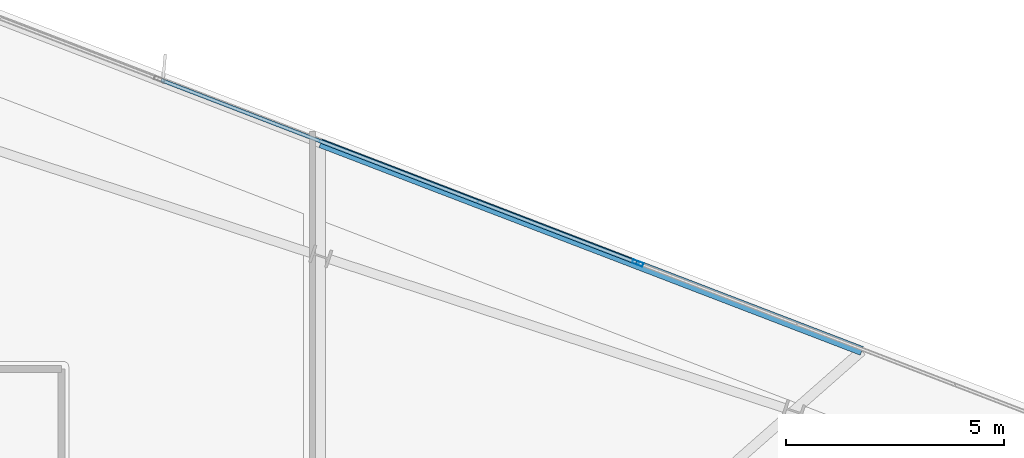
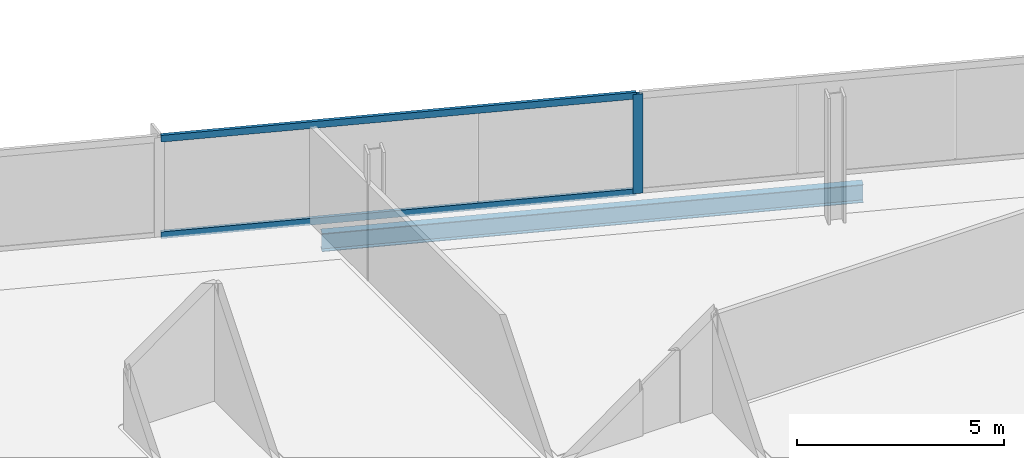
# One storey, part 17 of 27: 3 members, 1 beam, 1 element without a shape of its own.
"""IFC4 building model written with IfcOpenShell, lengths in metres."""

from ifc_helpers import new_model, si_unit, direction, frame, origin, origin_2d, place, context, subcontext, project, spatial, hollow_rectangle, i_section, extrude, material, material_profile, profile_set, type_object, element, aggregate, save


model = new_model("IFC4")

# Units and contexts
model_context = context("Model", 3, precision=1e-05, world=origin(), true_north=direction((0.0, 1.0)))
body_context = subcontext(model_context, "Body", "Model", "MODEL_VIEW")
ifc_project = project(units=[si_unit("LENGTHUNIT", "METRE"), si_unit("AREAUNIT", "SQUARE_METRE"), si_unit("VOLUMEUNIT", "CUBIC_METRE"), si_unit("PLANEANGLEUNIT", "RADIAN"), si_unit("MASSUNIT", "GRAM", prefix="KILO")], contexts=[model_context])

# Site, building, storey
site_placement = place(None, origin())
site = spatial("IfcSite", under=ifc_project, at=site_placement, CompositionType="ELEMENT")
building_placement = place(site_placement, origin())
building = spatial("IfcBuilding", under=site, at=building_placement, Name="Haldenkirk Collegiate Tower", CompositionType="ELEMENT")
storey_placement = place(building_placement, frame((0.0, 0.0, 259.949951171875)))
storey = spatial("IfcBuildingStorey", under=building, at=storey_placement, Name="L65", CompositionType="ELEMENT", Elevation=259.949951171875)

# Beam
ifc_material_1 = material(Name="Steel ASTM A992 Grade 50", Category="steel")
ifc_material_profile_1 = material_profile(ifc_material_1, i_section(OverallWidth=0.2099609375, OverallDepth=0.537109375, WebThickness=0.010986328125, FlangeThickness=0.017333984375, at=origin_2d()), Name="W21X68")
ifc_profile_set_1 = profile_set([ifc_material_profile_1], Name="Steel ASTM A992 Grade 50")
beam_type = type_object("IfcBeamType", Name="BM-SPANDREL-W21X68", PredefinedType="SPANDREL", material=ifc_profile_set_1)
beam_placement = place(storey_placement, frame((55.581298828125, 43.3125, -0.538330078125), z_axis=(-0.933580544027, 0.358367643371, 0.0), x_axis=(-0.358367643371, -0.933580544027, 0.0)))
element("IfcBeam", 1, at=beam_placement, inside=storey, type_object=beam_type, Name="L65 outer facade edge beam 2A", PredefinedType="SPANDREL", context=body_context, shape_type="SweptSolid", body=[
    extrude(i_section(OverallWidth=0.2099609375, OverallDepth=0.537109375, WebThickness=0.010986328125, FlangeThickness=0.017333984375, at=origin_2d()), origin(), (0.0, 0.0, 1.0), 13.27294921875),
])

# Curtain wall, members
ifc_material_2 = material(Name="Anodised architectural bronze aluminium", Category="aluminium")
curtain_wall_type = type_object("IfcCurtainWallType", Name="CW-SYS1B-CONVEX-HI", PredefinedType="USERDEFINED", material=ifc_material_2)
curtain_wall_placement = place(storey_placement, origin())
curtain_wall = element("IfcCurtainWall", 2, at=curtain_wall_placement, inside=storey, type_object=curtain_wall_type, Name="L65 Upper tower high-wind convex bronze unitised curtain wall", ObjectType="UNITISED CURTAIN WALL", PredefinedType="USERDEFINED")
ifc_material_profile_2 = material_profile(ifc_material_2, hollow_rectangle(XDim=0.0849609375, YDim=0.25, WallThickness=0.0048828125, at=origin_2d()), Name="CW-MUL-1B")
ifc_profile_set_2 = profile_set([ifc_material_profile_2], Name="Anodised architectural bronze aluminium")
member_type_1 = type_object("IfcMemberType", Name="CW-MUL-1B", PredefinedType="MULLION", material=ifc_profile_set_2)
member_1_placement = place(storey_placement, frame((50.451904296875, 45.324462890625, 0.0), z_axis=(0.0, 0.0, 1.0), x_axis=(0.358368486711, 0.933580220298, 0.0)))
member_1 = element("IfcMember", 3, at=member_1_placement, type_object=member_type_1, Name="CW-1B mullion 3", PredefinedType="MULLION", context=body_context, shape_type="SweptSolid", body=[
    extrude(hollow_rectangle(XDim=0.0849609375, YDim=0.25, WallThickness=0.0048828125, at=origin_2d()), origin(), (0.0, 0.0, 1.0), 2.93798828125),
])
ifc_material_profile_3 = material_profile(ifc_material_2, hollow_rectangle(XDim=0.0849609375, YDim=0.199951171875, WallThickness=0.0048828125, at=origin_2d()), Name="CW-TRN-1B")
ifc_profile_set_3 = profile_set([ifc_material_profile_3], Name="Anodised architectural bronze aluminium")
member_type_2 = type_object("IfcMemberType", Name="CW-TRN-1B", PredefinedType="USERDEFINED", material=ifc_profile_set_3)
member_2_placement = place(storey_placement, frame((39.53759765625, 49.51416015625, 0.04248046875), z_axis=(0.933573917876, -0.358384904624, 0.0), x_axis=(0.358384904624, 0.933573917876, 0.0)))
member_2 = element("IfcMember", 4, at=member_2_placement, type_object=member_type_2, Name="CW-1B transom 2.1", ObjectType="TRANSOM", PredefinedType="USERDEFINED", context=body_context, shape_type="SweptSolid", body=[
    extrude(hollow_rectangle(XDim=0.0849609375, YDim=0.199951171875, WallThickness=0.0048828125, at=origin_2d()), origin(), (0.0, 0.0, 1.0), 11.648193359375),
])
member_3_placement = place(storey_placement, frame((39.53759765625, 49.51416015625, 2.8955078125), z_axis=(0.933573917876, -0.358384904624, 0.0), x_axis=(0.358384904624, 0.933573917876, 0.0)))
member_3 = element("IfcMember", 5, at=member_3_placement, type_object=member_type_2, Name="CW-1B transom 2.2", ObjectType="TRANSOM", PredefinedType="USERDEFINED", context=body_context, shape_type="SweptSolid", body=[
    extrude(hollow_rectangle(XDim=0.0849609375, YDim=0.199951171875, WallThickness=0.0048828125, at=origin_2d()), origin(), (0.0, 0.0, 1.0), 11.648193359375),
])
aggregate(curtain_wall, [member_1, member_2, member_3])

save(model, "model.ifc")
